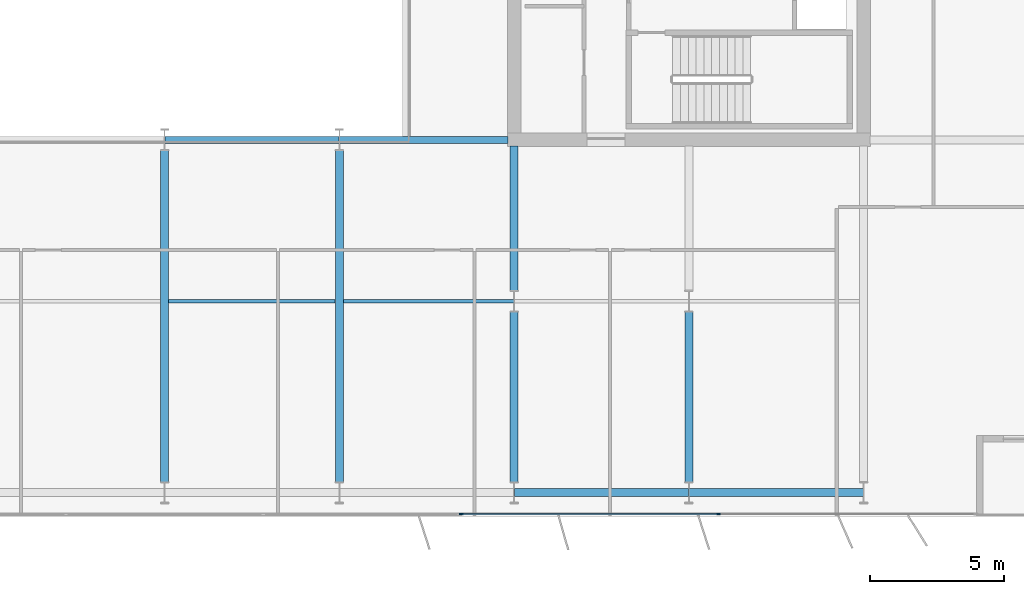
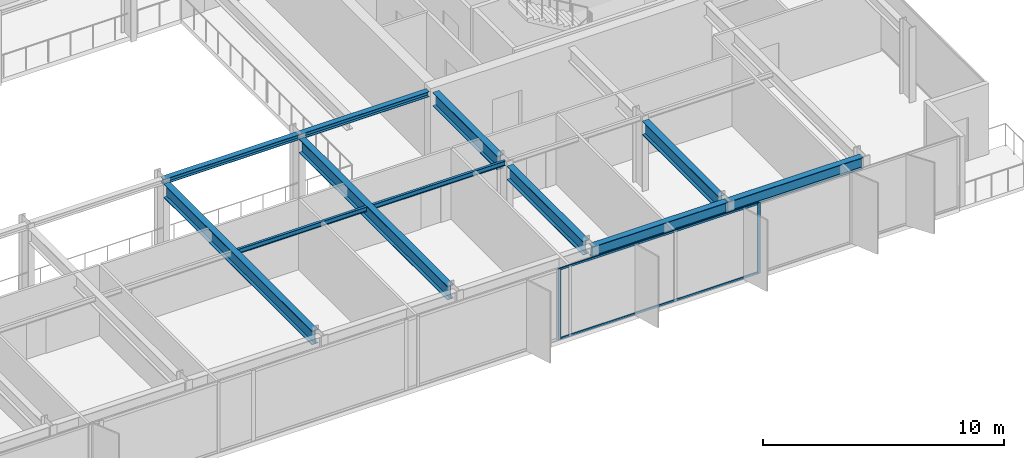
# One storey, part 7 of 24: 11 beams, 4 members, 1 element without a shape of its own.
"""IFC4 building model written with IfcOpenShell, lengths in metres."""

from ifc_helpers import new_model, si_unit, direction, frame, origin, origin_2d, place, context, subcontext, project, spatial, rectangle, i_section, extrude, material, layer, layer_set, material_profile, profile_set, type_object, element, aggregate, save


model = new_model("IFC4")

# Units and contexts
model_context = context("Model", 3, precision=1e-05, world=origin(), true_north=direction((0.0, 1.0)))
body_context = subcontext(model_context, "Body", "Model", "MODEL_VIEW")
ifc_project = project(units=[si_unit("LENGTHUNIT", "METRE"), si_unit("AREAUNIT", "SQUARE_METRE"), si_unit("VOLUMEUNIT", "CUBIC_METRE"), si_unit("PLANEANGLEUNIT", "RADIAN"), si_unit("MASSUNIT", "GRAM", prefix="KILO")], contexts=[model_context])

# Site, building, storey
site_placement = place(None, origin())
site = spatial("IfcSite", under=ifc_project, at=site_placement, CompositionType="ELEMENT")
building_placement = place(site_placement, origin())
building = spatial("IfcBuilding", under=site, at=building_placement, Name="Putna Gate Headquarters", CompositionType="ELEMENT")
storey_placement = place(building_placement, frame((0.0, 0.0, 248.0)))
storey = spatial("IfcBuildingStorey", under=building, at=storey_placement, Name="L62", CompositionType="ELEMENT", Elevation=248.0)

# Beams
ifc_material_1 = material(Name="Steel S355J2", Category="steel")
ifc_material_profile_1 = material_profile(ifc_material_1, i_section(OverallWidth=0.260009765625, OverallDepth=0.260009765625, WebThickness=0.010009765625, FlangeThickness=0.017578125, at=origin_2d()), Name="Steel S355J2")
ifc_profile_set_1 = profile_set([ifc_material_profile_1], Name="Steel S355J2")
beam_type_1 = type_object("IfcBeamType", Name="BM-ATRIUM-HEB260", PredefinedType="BEAM", material=ifc_profile_set_1)
beam_1_placement = place(storey_placement, frame((39.006103515625, 19.0, 3.449951171875), z_axis=(1.0, 0.0, 0.0), x_axis=(0.0, 1.0, 0.0)))
element("IfcBeam", 1, at=beam_1_placement, inside=storey, type_object=beam_type_1, Name="L62 Atrium Edge Beam AS3", PredefinedType="BEAM", context=body_context, shape_type="SweptSolid", body=[
    extrude(i_section(OverallWidth=0.260009765625, OverallDepth=0.260009765625, WebThickness=0.010009765625, FlangeThickness=0.017578125, at=origin_2d()), origin(), (0.0, 0.0, 1.0), 6.48779296875),
])
beam_2_placement = place(storey_placement, frame((45.506103515625, 19.0, 3.449951171875), z_axis=(1.0, 0.0, 0.0), x_axis=(0.0, 1.0, 0.0)))
element("IfcBeam", 2, at=beam_2_placement, inside=storey, type_object=beam_type_1, Name="L62 Atrium Edge Beam AS4", PredefinedType="BEAM", context=body_context, shape_type="SweptSolid", body=[
    extrude(i_section(OverallWidth=0.260009765625, OverallDepth=0.260009765625, WebThickness=0.010009765625, FlangeThickness=0.017578125, at=origin_2d()), origin(), (0.0, 0.0, 1.0), 6.2587890625),
])
ifc_material_profile_2 = material_profile(ifc_material_1, i_section(OverallWidth=0.300048828125, OverallDepth=0.699951171875, WebThickness=0.01708984375, FlangeThickness=0.031982421875, at=origin_2d()), Name="Steel S355J2")
ifc_profile_set_2 = profile_set([ifc_material_profile_2], Name="Steel S355J2")
beam_type_2 = type_object("IfcBeamType", Name="BM-GIRD-B-HEB700", PredefinedType="USERDEFINED", material=ifc_profile_set_2)
for number, where, z_axis, x_axis, name in (
    (3, (39.0, 6.27490234375, 3.22998046875), (0.0, 1.0, 0.0), (-1.0, 0.0, 0.0), "L62 South Primary Girder X39"),
    (4, (45.5, 6.27490234375, 3.22998046875), (0.0, 1.0, 0.0), (-1.0, 0.0, 0.0), "L62 South Primary Girder X45"),
):
    element("IfcBeam", number, at=place(storey_placement, frame(where, z_axis=z_axis, x_axis=x_axis)), inside=storey, type_object=beam_type_2, Name=name, ObjectType="GIRDER", PredefinedType="USERDEFINED", context=body_context, shape_type="SweptSolid", body=[
        extrude(i_section(OverallWidth=0.300048828125, OverallDepth=0.699951171875, WebThickness=0.01708984375, FlangeThickness=0.031982421875, at=origin_2d()), origin(), (0.0, 0.0, 1.0), 12.330078125),
    ])
beam_3_placement = place(storey_placement, frame((52.0, 6.27490234375, 3.22998046875), z_axis=(0.0, 1.0, 0.0), x_axis=(-1.0, 0.0, 0.0)))
element("IfcBeam", 5, at=beam_3_placement, inside=storey, type_object=beam_type_2, Name="L62 South Primary Girder X52-1", ObjectType="GIRDER", PredefinedType="USERDEFINED", context=body_context, shape_type="SweptSolid", body=[
    extrude(i_section(OverallWidth=0.300048828125, OverallDepth=0.699951171875, WebThickness=0.01708984375, FlangeThickness=0.031982421875, at=origin_2d()), origin(), (0.0, 0.0, 1.0), 6.330078125),
])
beam_4_placement = place(storey_placement, frame((52.0, 13.39501953125, 3.22998046875), z_axis=(0.0, 1.0, 0.0), x_axis=(-1.0, 0.0, 0.0)))
element("IfcBeam", 6, at=beam_4_placement, inside=storey, type_object=beam_type_2, Name="L62 South Primary Girder X52-2", ObjectType="GIRDER", PredefinedType="USERDEFINED", context=body_context, shape_type="SweptSolid", body=[
    extrude(i_section(OverallWidth=0.300048828125, OverallDepth=0.699951171875, WebThickness=0.01708984375, FlangeThickness=0.031982421875, at=origin_2d()), origin(), (0.0, 0.0, 1.0), 5.369873046875),
])
beam_5_placement = place(storey_placement, frame((58.5, 6.27490234375, 3.22998046875), z_axis=(0.0, 1.0, 0.0), x_axis=(-1.0, 0.0, 0.0)))
element("IfcBeam", 7, at=beam_5_placement, inside=storey, type_object=beam_type_2, Name="L62 South Primary Girder X58-1", ObjectType="GIRDER", PredefinedType="USERDEFINED", context=body_context, shape_type="SweptSolid", body=[
    extrude(i_section(OverallWidth=0.300048828125, OverallDepth=0.699951171875, WebThickness=0.01708984375, FlangeThickness=0.031982421875, at=origin_2d()), origin(), (0.0, 0.0, 1.0), 6.330078125),
])
ifc_material_profile_3 = material_profile(ifc_material_1, i_section(OverallWidth=0.1201171875, OverallDepth=0.239990234375, WebThickness=0.006103515625, FlangeThickness=0.009765625, at=origin_2d()), Name="Steel S355J2")
ifc_profile_set_3 = profile_set([ifc_material_profile_3], Name="Steel S355J2")
beam_type_3 = type_object("IfcBeamType", Name="BM-SEC-Z4-IPE240", PredefinedType="JOIST", material=ifc_profile_set_3)
beam_6_placement = place(storey_placement, frame((39.154052734375, 13.0, 3.4599609375), z_axis=(1.0, 0.0, 0.0), x_axis=(0.0, 1.0, 0.0)))
element("IfcBeam", 8, at=beam_6_placement, inside=storey, type_object=beam_type_3, Name="L62 South Secondary Beam 5", PredefinedType="JOIST", context=body_context, shape_type="SweptSolid", body=[
    extrude(i_section(OverallWidth=0.1201171875, OverallDepth=0.239990234375, WebThickness=0.006103515625, FlangeThickness=0.009765625, at=origin_2d()), origin(), (0.0, 0.0, 1.0), 6.19189453125),
])
beam_7_placement = place(storey_placement, frame((45.654052734375, 13.0, 3.4599609375), z_axis=(1.0, 0.0, 0.0), x_axis=(0.0, 1.0, 0.0)))
element("IfcBeam", 9, at=beam_7_placement, inside=storey, type_object=beam_type_3, Name="L62 South Secondary Beam 6", PredefinedType="JOIST", context=body_context, shape_type="SweptSolid", body=[
    extrude(i_section(OverallWidth=0.1201171875, OverallDepth=0.239990234375, WebThickness=0.006103515625, FlangeThickness=0.009765625, at=origin_2d()), origin(), (0.0, 0.0, 1.0), 6.33984375),
])
ifc_material_profile_4 = material_profile(ifc_material_1, i_section(OverallWidth=0.300048828125, OverallDepth=0.590087890625, WebThickness=0.012939453125, FlangeThickness=0.02490234375, at=origin_2d()), Name="Steel S355J2")
ifc_profile_set_4 = profile_set([ifc_material_profile_4], Name="Steel S355J2")
beam_type_4 = type_object("IfcBeamType", Name="BM-SPAN-Z4-HEA600", PredefinedType="SPANDREL", material=ifc_profile_set_4)
for number, where, z_axis, x_axis, name in (
    (10, (52.006103515625, 5.8798828125, 3.284912109375), (1.0, 0.0, 0.0), (0.0, 1.0, 0.0), "L62 S Perimeter Spandrel 7"),
    (11, (58.506103515625, 5.8798828125, 3.284912109375), (1.0, 0.0, 0.0), (0.0, 1.0, 0.0), "L62 S Perimeter Spandrel 8"),
):
    element("IfcBeam", number, at=place(storey_placement, frame(where, z_axis=z_axis, x_axis=x_axis)), inside=storey, type_object=beam_type_4, Name=name, PredefinedType="SPANDREL", context=body_context, shape_type="SweptSolid", body=[
        extrude(i_section(OverallWidth=0.300048828125, OverallDepth=0.590087890625, WebThickness=0.012939453125, FlangeThickness=0.02490234375, at=origin_2d()), origin(), (0.0, 0.0, 1.0), 6.48779296875),
    ])

# Curtain wall, members
ifc_material_2 = material(Name="Anodised bronze aluminium curtain wall", Category="aluminium")
ifc_layer = layer(ifc_material_2, 0.139892578125)
ifc_layer_set = layer_set([ifc_layer], Name="Anodised bronze aluminium curtain wall")
curtain_wall_type = type_object("IfcCurtainWallType", Name="CW-SYS-Z4", PredefinedType="USERDEFINED", material=ifc_layer_set)
curtain_wall_placement = place(storey_placement, origin())
curtain_wall = element("IfcCurtainWall", 12, at=curtain_wall_placement, inside=storey, type_object=curtain_wall_type, Name="L62 South East Curtain Wall", ObjectType="STICK CURTAIN WALL", PredefinedType="USERDEFINED")
ifc_material_3 = material(Name="Anodised bronze aluminium EN AW-6060", Category="aluminium")
ifc_material_profile_5 = material_profile(ifc_material_3, rectangle(XDim=0.06005859375, YDim=0.139892578125, at=origin_2d()), Name="Anodised bronze aluminium EN AW-6060")
ifc_profile_set_5 = profile_set([ifc_material_profile_5], Name="Anodised bronze aluminium EN AW-6060")
member_type_1 = type_object("IfcMemberType", Name="MULL-CWM-4", PredefinedType="MULLION", material=ifc_profile_set_5)
member_1_placement = place(storey_placement, frame((50.030029296875, 5.080078125, 0.0), z_axis=(0.0, 0.0, 1.0), x_axis=(0.0, 1.0, 0.0)))
member_1 = element("IfcMember", 13, at=member_1_placement, type_object=member_type_1, Name="CWS-4 mullion 1", PredefinedType="MULLION", context=body_context, shape_type="SweptSolid", body=[
    extrude(rectangle(XDim=0.06005859375, YDim=0.139892578125, at=origin_2d()), origin(), (0.0, 0.0, 1.0), 3.580078125),
])
member_2_placement = place(storey_placement, frame((59.60009765625, 5.080078125, 0.0), z_axis=(0.0, 0.0, 1.0), x_axis=(0.0, 1.0, 0.0)))
member_2 = element("IfcMember", 14, at=member_2_placement, type_object=member_type_1, Name="CWS-4 mullion 2", PredefinedType="MULLION", context=body_context, shape_type="SweptSolid", body=[
    extrude(rectangle(XDim=0.06005859375, YDim=0.139892578125, at=origin_2d()), origin(), (0.0, 0.0, 1.0), 3.580078125),
])
ifc_material_profile_6 = material_profile(ifc_material_3, rectangle(XDim=0.06005859375, YDim=0.10009765625, at=origin_2d()), Name="Anodised bronze aluminium EN AW-6060")
ifc_profile_set_6 = profile_set([ifc_material_profile_6], Name="Anodised bronze aluminium EN AW-6060")
member_type_2 = type_object("IfcMemberType", Name="TRAN-CWT-4", PredefinedType="USERDEFINED", material=ifc_profile_set_6)
member_3_placement = place(storey_placement, frame((50.06005859375, 5.080078125, 0.030029296875), z_axis=(1.0, 0.0, 0.0), x_axis=(0.0, 1.0, 0.0)))
member_3 = element("IfcMember", 15, at=member_3_placement, type_object=member_type_2, Name="CWS-4 transom 1.1", ObjectType="TRANSOM", PredefinedType="USERDEFINED", context=body_context, shape_type="SweptSolid", body=[
    extrude(rectangle(XDim=0.06005859375, YDim=0.10009765625, at=origin_2d()), origin(), (0.0, 0.0, 1.0), 9.510009765625),
])
member_4_placement = place(storey_placement, frame((50.06005859375, 5.080078125, 3.550048828125), z_axis=(1.0, 0.0, 0.0), x_axis=(0.0, 1.0, 0.0)))
member_4 = element("IfcMember", 16, at=member_4_placement, type_object=member_type_2, Name="CWS-4 transom 1.2", ObjectType="TRANSOM", PredefinedType="USERDEFINED", context=body_context, shape_type="SweptSolid", body=[
    extrude(rectangle(XDim=0.06005859375, YDim=0.10009765625, at=origin_2d()), origin(), (0.0, 0.0, 1.0), 9.510009765625),
])
aggregate(curtain_wall, [member_1, member_2, member_3, member_4])

save(model, "model.ifc")
